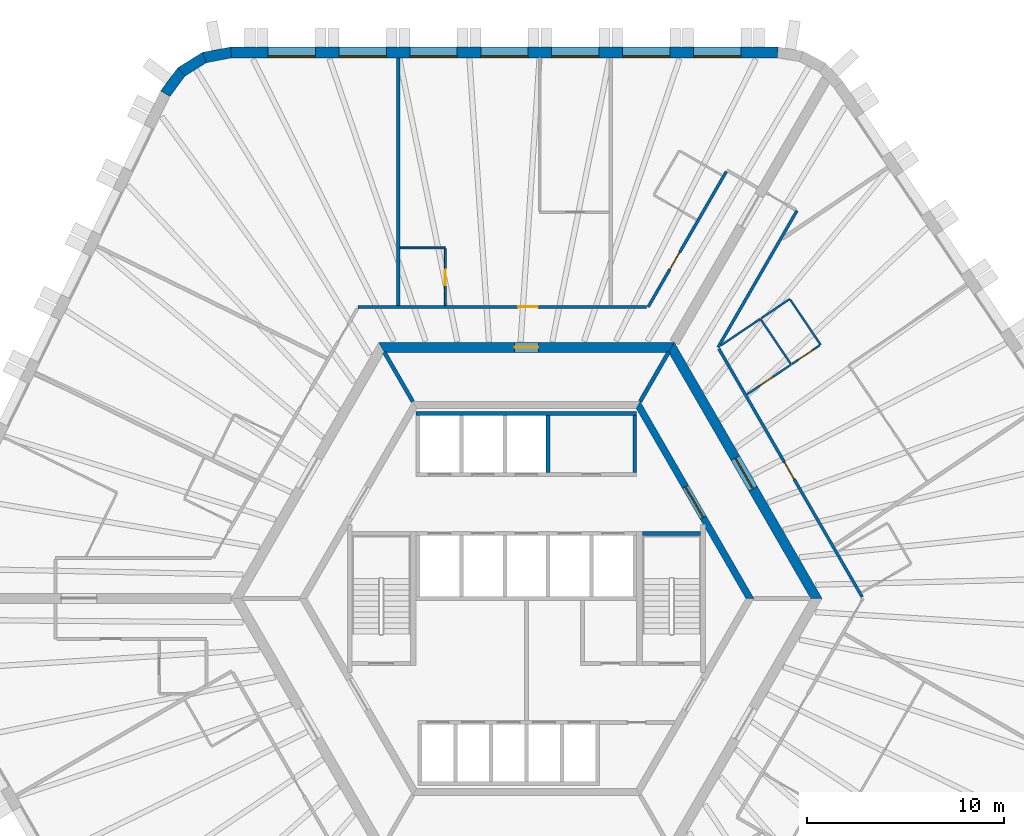
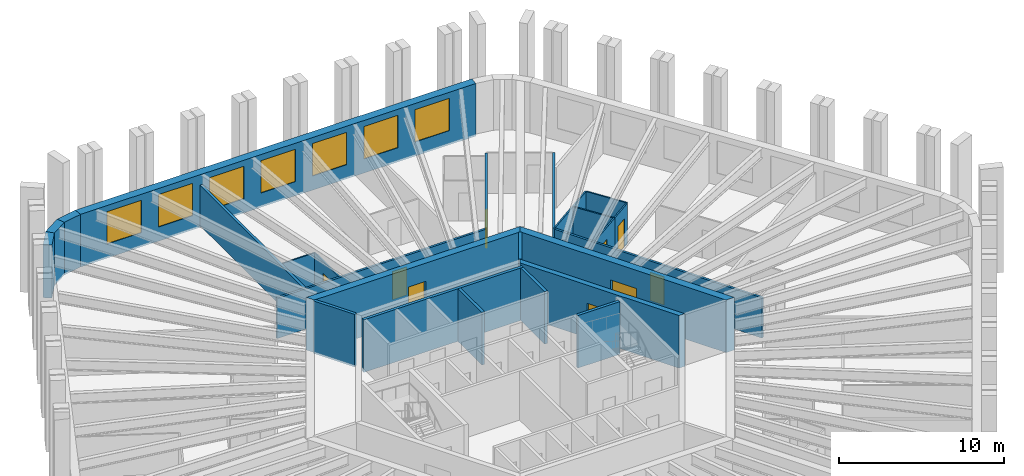
# One storey, part 8 of 10: 26 walls, 9 doors, 7 windows, 16 openings.
"""IFC4 building model written with IfcOpenShell, lengths in metres."""

from ifc_helpers import new_model, si_unit, direction, frame, frame_2d, origin, place, context, subcontext, project, spatial, polyline, rectangle, outline, extrude, material, layer, layer_set, type_object, element, fill, save


model = new_model("IFC4")

# Units and contexts
model_context = context("Model", 3, precision=1e-05, world=origin(), true_north=direction((0.0, 1.0)))
body_context = subcontext(model_context, "Body", "Model", "MODEL_VIEW")
ifc_project = project(units=[si_unit("LENGTHUNIT", "METRE"), si_unit("AREAUNIT", "SQUARE_METRE"), si_unit("VOLUMEUNIT", "CUBIC_METRE"), si_unit("PLANEANGLEUNIT", "RADIAN"), si_unit("MASSUNIT", "GRAM", prefix="KILO")], contexts=[model_context])

# Site, building, storey
site_placement = place(None, origin())
site = spatial("IfcSite", under=ifc_project, at=site_placement, CompositionType="ELEMENT")
building_placement = place(site_placement, origin())
building = spatial("IfcBuilding", under=site, at=building_placement, Name="Tarnside Tower", CompositionType="ELEMENT")
storey_placement = place(building_placement, frame((0.0, 0.0, 176.10009765625)))
storey = spatial("IfcBuildingStorey", under=building, at=storey_placement, Name="L41", CompositionType="ELEMENT", Elevation=176.10009765625)

# Wall
ifc_material_1 = material(Name="Gypsum board partition on steel studs", Category="steel")
ifc_layer_1 = layer(ifc_material_1, 0.10009765625)
ifc_layer_set_1 = layer_set([ifc_layer_1], Name="Bathroom wall 100")
wall_type_1 = type_object("IfcWallType", Name="Bathroom wall 100", PredefinedType="PARTITIONING", material=ifc_layer_set_1)
wall_1_placement = place(storey_placement, frame((-6.427978515625, 17.800048828125, 0.0), z_axis=(0.0, 0.0, 1.0), x_axis=(1.0, 0.0, 0.0)))
element("IfcWall", 1, at=wall_1_placement, inside=storey, type_object=wall_type_1, Name="Bathroom wall 13054", PredefinedType="PARTITIONING", context=body_context, shape_type="SweptSolid", body=[
    extrude(rectangle(XDim=2.31005859375, YDim=0.10009765625, at=frame_2d((1.155029296875, 0.0))), origin(), (0.0, 0.0, 1.0), 2.98779296875),
])

# Wall, opening, door
wall_2_placement = place(storey_placement, frame((-4.117919921875, 17.75, 0.0), z_axis=(0.0, 0.0, 1.0), x_axis=(0.0, -1.0, 0.0)))
wall_2 = element("IfcWall", 2, at=wall_2_placement, inside=storey, type_object=wall_type_1, Name="Bathroom wall 13055", PredefinedType="PARTITIONING", context=body_context, shape_type="SweptSolid", body=[
    extrude(rectangle(XDim=2.875, YDim=0.10009765625, at=frame_2d((1.4375, 0.0))), origin(), (0.0, 0.0, 1.0), 2.98779296875),
])
opening_1_placement = place(wall_2_placement, frame((1.050048828125, 0.0, 0.0)))
opening_1 = element("IfcOpeningElement", 3, at=opening_1_placement, cuts=wall_2, Name="Opening D-B1", PredefinedType="OPENING", context=body_context, shape_type="SweptSolid", body=[
    extrude(rectangle(XDim=0.800048828125, YDim=2.10009765625, at=frame_2d((0.39990234375, 1.050048828125))), frame((0.0, 0.06005859375, 0.0), z_axis=(0.0, -1.0, 0.0), x_axis=(1.0, 0.0, 0.0)), (0.0, 0.0, 1.0), 0.1201171875),
])
ifc_material_2 = material(Name="Timber door leaf", Category="wood")
door_type_1 = type_object("IfcDoorType", Name="Bathroom door 800", OperationType="NOTDEFINED", PredefinedType="DOOR", material=ifc_material_2)
door_1_placement = place(opening_1_placement, origin())
door_1 = element("IfcDoor", 4, at=door_1_placement, inside=storey, type_object=door_type_1, Name="Bathroom door 13004", OperationType="SINGLE_SWING_LEFT", OverallHeight=2.10009765625, OverallWidth=0.800048828125, PredefinedType="DOOR", context=body_context, shape_type="SweptSolid", body=[
    extrude(rectangle(XDim=0.800048828125, YDim=2.10009765625, at=frame_2d((0.39990234375, 1.050048828125))), frame((0.0, 0.02490234375, 0.0), z_axis=(0.0, -1.0, 0.0), x_axis=(1.0, 0.0, 0.0)), (0.0, 0.0, 1.0), 0.050048828125),
])
fill(opening_1, door_1)

# Wall
wall_3_placement = place(storey_placement, frame((9.8701171875, 12.845703125, 0.0), z_axis=(0.0, 0.0, 1.0), x_axis=(0.829044958406, 0.559181953341, 0.0)))
element("IfcWall", 5, at=wall_3_placement, inside=storey, type_object=wall_type_1, Name="Bathroom wall 13108", PredefinedType="PARTITIONING", context=body_context, shape_type="SweptSolid", body=[
    extrude(rectangle(XDim=2.421875, YDim=0.10009765625, at=frame_2d((1.2109375, 0.0))), origin(), (0.0, 0.0, 1.0), 2.98779296875),
])

# Wall, opening, door
wall_4_placement = place(storey_placement, frame((13.443603515625, 11.87841796875, 0.0), z_axis=(0.0, 0.0, 1.0), x_axis=(-0.829076008986, -0.559135914894, 0.0)))
wall_4 = element("IfcWall", 6, at=wall_4_placement, inside=storey, type_object=wall_type_1, Name="Bathroom wall 13109", PredefinedType="PARTITIONING", context=body_context, shape_type="SweptSolid", body=[
    extrude(rectangle(XDim=2.71337890625, YDim=0.10009765625, at=frame_2d((1.356689453125, 0.0))), origin(), (0.0, 0.0, 1.0), 2.98779296875),
])
opening_2_placement = place(wall_4_placement, frame((1.10009765625, 0.0, 0.0)))
opening_2 = element("IfcOpeningElement", 7, at=opening_2_placement, cuts=wall_4, Name="Opening D-B1", PredefinedType="OPENING", context=body_context, shape_type="SweptSolid", body=[
    extrude(rectangle(XDim=0.800048828125, YDim=2.10009765625, at=frame_2d((0.39990234375, 1.050048828125))), frame((0.0, 0.06005859375, 0.0), z_axis=(0.0, -1.0, 0.0), x_axis=(1.0, 0.0, 0.0)), (0.0, 0.0, 1.0), 0.1201171875),
])
door_2_placement = place(opening_2_placement, origin())
door_2 = element("IfcDoor", 8, at=door_2_placement, inside=storey, type_object=door_type_1, Name="Bathroom door 13032", OperationType="SINGLE_SWING_LEFT", OverallHeight=2.10009765625, OverallWidth=0.800048828125, PredefinedType="DOOR", context=body_context, shape_type="SweptSolid", body=[
    extrude(rectangle(XDim=0.800048828125, YDim=2.10009765625, at=frame_2d((0.39990234375, 1.050048828125))), frame((0.0, 0.02490234375, 0.0), z_axis=(0.0, -1.0, 0.0), x_axis=(1.0, 0.0, 0.0)), (0.0, 0.0, 1.0), 0.050048828125),
])
fill(opening_2, door_2)

# Wall
wall_5_placement = place(storey_placement, frame((13.41552734375, 11.919921875, 0.0), z_axis=(0.0, 0.0, 1.0), x_axis=(-0.559157567313, 0.829061405999, 0.0)))
element("IfcWall", 9, at=wall_5_placement, inside=storey, type_object=wall_type_1, Name="Bathroom wall 13116", PredefinedType="PARTITIONING", context=body_context, shape_type="SweptSolid", body=[
    extrude(rectangle(XDim=2.699951171875, YDim=0.10009765625, at=frame_2d((1.35009765625, 0.0))), origin(), (0.0, 0.0, 1.0), 2.98779296875),
])

# Wall, opening, door
ifc_material_3 = material(Name="Concrete C50/60", Category="concrete")
ifc_layer_2 = layer(ifc_material_3, 0.35009765625)
ifc_layer_set_2 = layer_set([ifc_layer_2], Name="Core block wall 350 C50/60")
wall_type_2 = type_object("IfcWallType", Name="Core block wall 350 C50/60", PredefinedType="SHEAR", material=ifc_layer_set_2)
wall_6_placement = place(storey_placement, frame((11.344970703125, 0.0, -0.150146484375), z_axis=(0.0, 0.0, 1.0), x_axis=(-0.499995046907, 0.866028263435, 0.0)))
wall_6 = element("IfcWall", 10, at=wall_6_placement, inside=storey, type_object=wall_type_2, Name="L41 core block wall face 6", PredefinedType="SHEAR", context=body_context, shape_type="SweptSolid", body=[
    extrude(outline(polyline([(-0.10107421875, -0.175048828125), (11.44580078125, -0.175048828125), (11.24365234375, 0.175048828125), (0.10107421875, 0.175048828125), (-0.10107421875, -0.175048828125)])), origin(), (0.0, 0.0, 1.0), 3.900146484375),
])
opening_3_placement = place(wall_6_placement, frame((4.74365234375, 0.0, 0.14990234375)))
opening_3 = element("IfcOpeningElement", 11, at=opening_3_placement, cuts=wall_6, Name="Opening CD-LOB", PredefinedType="OPENING", context=body_context, shape_type="SweptSolid", body=[
    extrude(rectangle(XDim=1.800048828125, YDim=2.39990234375, at=frame_2d((0.89990234375, 1.199951171875))), frame((0.0, 0.18505859375, 0.0), z_axis=(0.0, -1.0, 0.0), x_axis=(1.0, 0.0, 0.0)), (0.0, 0.0, 1.0), 0.3701171875),
])
ifc_material_4 = material(Name="Steel fire door", Category="steel")
door_type_2 = type_object("IfcDoorType", Name="Lobby double door FD30S 1800x2400", OperationType="NOTDEFINED", PredefinedType="DOOR", material=ifc_material_4)
door_3_placement = place(opening_3_placement, origin())
door_3 = element("IfcDoor", 12, at=door_3_placement, inside=storey, type_object=door_type_2, Name="L41 lobby block door P2", OperationType="DOUBLE_DOOR_SINGLE_SWING", OverallHeight=2.39990234375, OverallWidth=1.800048828125, PredefinedType="DOOR", context=body_context, shape_type="SweptSolid", body=[
    extrude(rectangle(XDim=1.800048828125, YDim=2.39990234375, at=frame_2d((0.89990234375, 1.199951171875))), frame((0.0, 0.02490234375, 0.0), z_axis=(0.0, -1.0, 0.0), x_axis=(1.0, 0.0, 0.0)), (0.0, 0.0, 1.0), 0.050048828125),
])
fill(opening_3, door_3)

ifc_material_5 = material(Name="Concrete C70/85", Category="concrete")
ifc_layer_3 = layer(ifc_material_5, 0.5)
ifc_layer_set_3 = layer_set([ifc_layer_3], Name="Core wall Z2 500 C70/85")
wall_type_3 = type_object("IfcWallType", Name="Core wall Z2 500 C70/85", PredefinedType="SHEAR", material=ifc_layer_set_3)
wall_7_placement = place(storey_placement, frame((14.722412109375, 0.0, -0.150146484375), z_axis=(0.0, 0.0, 1.0), x_axis=(-0.50000571537, 0.866022103989, 0.0)))
wall_7 = element("IfcWall", 13, at=wall_7_placement, inside=storey, type_object=wall_type_3, Name="L41 core wall face 6", PredefinedType="SHEAR", context=body_context, shape_type="SweptSolid", body=[
    extrude(outline(polyline([(-0.144287109375, -0.25), (14.86669921875, -0.25), (14.578125, 0.25), (0.144287109375, 0.25), (-0.144287109375, -0.25)])), origin(), (0.0, 0.0, 1.0), 3.900146484375),
])
opening_4_placement = place(wall_7_placement, frame((6.432373046875, 0.0, 0.14990234375)))
opening_4 = element("IfcOpeningElement", 14, at=opening_4_placement, cuts=wall_7, Name="Opening CD-LOB", PredefinedType="OPENING", context=body_context, shape_type="SweptSolid", body=[
    extrude(rectangle(XDim=1.800048828125, YDim=2.39990234375, at=frame_2d((0.89990234375, 1.199951171875))), frame((0.0, 0.260009765625, 0.0), z_axis=(0.0, -1.0, 0.0), x_axis=(1.0, 0.0, 0.0)), (0.0, 0.0, 1.0), 0.52001953125),
])
door_4_placement = place(opening_4_placement, origin())
door_4 = element("IfcDoor", 15, at=door_4_placement, inside=storey, type_object=door_type_2, Name="L41 core door P2", OperationType="DOUBLE_DOOR_SINGLE_SWING", OverallHeight=2.39990234375, OverallWidth=1.800048828125, PredefinedType="DOOR", context=body_context, shape_type="SweptSolid", body=[
    extrude(rectangle(XDim=1.800048828125, YDim=2.39990234375, at=frame_2d((0.89990234375, 1.199951171875))), frame((0.0, 0.02490234375, 0.0), z_axis=(0.0, -1.0, 0.0), x_axis=(1.0, 0.0, 0.0)), (0.0, 0.0, 1.0), 0.050048828125),
])
fill(opening_4, door_4)

wall_8_placement = place(storey_placement, frame((7.361083984375, 12.75, -0.150146484375), z_axis=(0.0, 0.0, 1.0), x_axis=(-1.0, 0.0, 0.0)))
wall_8 = element("IfcWall", 16, at=wall_8_placement, inside=storey, type_object=wall_type_3, Name="L41 core wall face 1", PredefinedType="SHEAR", context=body_context, shape_type="SweptSolid", body=[
    extrude(outline(polyline([(-0.144287109375, -0.25), (14.866455078125, -0.25), (14.577880859375, 0.25), (0.144287109375, 0.25), (-0.144287109375, -0.25)])), origin(), (0.0, 0.0, 1.0), 3.900146484375),
])
opening_5_placement = place(wall_8_placement, frame((6.76123046875, 0.0, 0.14990234375)))
opening_5 = element("IfcOpeningElement", 17, at=opening_5_placement, cuts=wall_8, Name="Opening CD-RSR", PredefinedType="OPENING", context=body_context, shape_type="SweptSolid", body=[
    extrude(rectangle(XDim=1.199951171875, YDim=2.39990234375, at=frame_2d((0.60009765625, 1.199951171875))), frame((0.0, 0.260009765625, 0.0), z_axis=(0.0, -1.0, 0.0), x_axis=(1.0, 0.0, 0.0)), (0.0, 0.0, 1.0), 0.52001953125),
])
door_type_3 = type_object("IfcDoorType", Name="Riser door FD60 1200x2400", OperationType="NOTDEFINED", PredefinedType="DOOR", material=ifc_material_4)
door_5_placement = place(opening_5_placement, origin())
door_5 = element("IfcDoor", 18, at=door_5_placement, inside=storey, type_object=door_type_3, Name="L41 core door S5", OperationType="SINGLE_SWING_LEFT", OverallHeight=2.39990234375, OverallWidth=1.199951171875, PredefinedType="DOOR", context=body_context, shape_type="SweptSolid", body=[
    extrude(rectangle(XDim=1.199951171875, YDim=2.39990234375, at=frame_2d((0.60009765625, 1.199951171875))), frame((0.0, 0.02490234375, 0.0), z_axis=(0.0, -1.0, 0.0), x_axis=(1.0, 0.0, 0.0)), (0.0, 0.0, 1.0), 0.050048828125),
])
fill(opening_5, door_5)

ifc_layer_4 = layer(ifc_material_1, 0.14990234375)
ifc_layer_set_4 = layer_set([ifc_layer_4], Name="Corridor wall 150 EI 60")
wall_type_4 = type_object("IfcWallType", Name="Corridor wall 150 EI 60", PredefinedType="PARTITIONING", material=ifc_layer_set_4)
wall_9_placement = place(storey_placement, frame((10.148681640625, 21.677978515625, 0.0), z_axis=(0.0, 0.0, 1.0), x_axis=(-0.499997422768, -0.866026891745, 0.0)))
wall_9 = element("IfcWall", 19, at=wall_9_placement, inside=storey, type_object=wall_type_4, Name="Corridor wall 13001", PredefinedType="PARTITIONING", context=body_context, shape_type="SweptSolid", body=[
    extrude(rectangle(XDim=7.94189453125, YDim=0.14990234375, at=frame_2d((3.970947265625, 0.0))), origin(), (0.0, 0.0, 1.0), 2.98779296875),
])
opening_6_placement = place(wall_9_placement, frame((4.7333984375, 0.0, 0.0)))
opening_6 = element("IfcOpeningElement", 20, at=opening_6_placement, cuts=wall_9, Name="Opening D-E1", PredefinedType="OPENING", context=body_context, shape_type="SweptSolid", body=[
    extrude(rectangle(XDim=1.0, YDim=2.10009765625, at=frame_2d((0.5, 1.050048828125))), frame((0.0, 0.0849609375, 0.0), z_axis=(0.0, -1.0, 0.0), x_axis=(1.0, 0.0, 0.0)), (0.0, 0.0, 1.0), 0.169921875),
])
door_type_4 = type_object("IfcDoorType", Name="Unit entrance door 1000 FD30S", OperationType="NOTDEFINED", PredefinedType="DOOR", material=ifc_material_2)
door_6_placement = place(opening_6_placement, origin())
door_6 = element("IfcDoor", 21, at=door_6_placement, inside=storey, type_object=door_type_4, Name="Unit door 13001", OperationType="SINGLE_SWING_LEFT", OverallHeight=2.10009765625, OverallWidth=1.0, PredefinedType="DOOR", context=body_context, shape_type="SweptSolid", body=[
    extrude(rectangle(XDim=1.0, YDim=2.10009765625, at=frame_2d((0.5, 1.050048828125))), frame((0.0, 0.02490234375, 0.0), z_axis=(0.0, -1.0, 0.0), x_axis=(1.0, 0.0, 0.0)), (0.0, 0.0, 1.0), 0.050048828125),
])
fill(opening_6, door_6)

wall_10_placement = place(storey_placement, frame((6.091064453125, 14.800048828125, 0.0), z_axis=(0.0, 0.0, 1.0), x_axis=(-1.0, 0.0, 0.0)))
wall_10 = element("IfcWall", 22, at=wall_10_placement, inside=storey, type_object=wall_type_4, Name="Corridor wall 13002", PredefinedType="PARTITIONING", context=body_context, shape_type="SweptSolid", body=[
    extrude(rectangle(XDim=14.6357421875, YDim=0.14990234375, at=frame_2d((7.31787109375, 0.0))), origin(), (0.0, 0.0, 1.0), 2.98779296875),
])
opening_7_placement = place(wall_10_placement, frame((5.509033203125, 0.0, 0.0)))
opening_7 = element("IfcOpeningElement", 23, at=opening_7_placement, cuts=wall_10, Name="Opening D-E1", PredefinedType="OPENING", context=body_context, shape_type="SweptSolid", body=[
    extrude(rectangle(XDim=1.0, YDim=2.10009765625, at=frame_2d((0.5, 1.050048828125))), frame((0.0, 0.0849609375, 0.0), z_axis=(0.0, -1.0, 0.0), x_axis=(1.0, 0.0, 0.0)), (0.0, 0.0, 1.0), 0.169921875),
])
door_7_placement = place(opening_7_placement, origin())
door_7 = element("IfcDoor", 24, at=door_7_placement, inside=storey, type_object=door_type_4, Name="Unit door 13003", OperationType="SINGLE_SWING_RIGHT", OverallHeight=2.10009765625, OverallWidth=1.0, PredefinedType="DOOR", context=body_context, shape_type="SweptSolid", body=[
    extrude(rectangle(XDim=1.0, YDim=2.10009765625, at=frame_2d((0.5, 1.050048828125))), frame((0.0, 0.02490234375, 0.0), z_axis=(0.0, -1.0, 0.0), x_axis=(1.0, 0.0, 0.0)), (0.0, 0.0, 1.0), 0.050048828125),
])
fill(opening_7, door_7)

wall_11_placement = place(storey_placement, frame((17.04638671875, 0.074951171875, 0.0), z_axis=(0.0, 0.0, 1.0), x_axis=(-0.499999403554, 0.866025748143, 0.0)))
wall_11 = element("IfcWall", 25, at=wall_11_placement, inside=storey, type_object=wall_type_4, Name="Corridor wall 13040", PredefinedType="PARTITIONING", context=body_context, shape_type="SweptSolid", body=[
    extrude(rectangle(XDim=14.54931640625, YDim=0.14990234375, at=frame_2d((7.274658203125, 0.0))), origin(), (0.0, 0.0, 1.0), 2.98779296875),
])
opening_8_placement = place(wall_11_placement, frame((6.90087890625, 0.0, 0.0)))
opening_8 = element("IfcOpeningElement", 26, at=opening_8_placement, cuts=wall_11, Name="Opening D-E1", PredefinedType="OPENING", context=body_context, shape_type="SweptSolid", body=[
    extrude(rectangle(XDim=1.0, YDim=2.10009765625, at=frame_2d((0.5, 1.050048828125))), frame((0.0, 0.0849609375, 0.0), z_axis=(0.0, -1.0, 0.0), x_axis=(1.0, 0.0, 0.0)), (0.0, 0.0, 1.0), 0.169921875),
])
door_8_placement = place(opening_8_placement, origin())
door_8 = element("IfcDoor", 27, at=door_8_placement, inside=storey, type_object=door_type_4, Name="Unit door 13031", OperationType="SINGLE_SWING_RIGHT", OverallHeight=2.10009765625, OverallWidth=1.0, PredefinedType="DOOR", context=body_context, shape_type="SweptSolid", body=[
    extrude(rectangle(XDim=1.0, YDim=2.10009765625, at=frame_2d((0.5, 1.050048828125))), frame((0.0, 0.02490234375, 0.0), z_axis=(0.0, -1.0, 0.0), x_axis=(1.0, 0.0, 0.0)), (0.0, 0.0, 1.0), 0.050048828125),
])
fill(opening_8, door_8)

# Walls
wall_12_placement = place(storey_placement, frame((9.728271484375, 12.75, 0.0), z_axis=(0.0, 0.0, 1.0), x_axis=(0.500007149838, 0.866021275784, 0.0)))
element("IfcWall", 28, at=wall_12_placement, inside=storey, type_object=wall_type_4, Name="Corridor wall 13044", PredefinedType="PARTITIONING", context=body_context, shape_type="SweptSolid", body=[
    extrude(rectangle(XDim=8.01708984375, YDim=0.14990234375, at=frame_2d((4.008544921875, 0.0))), origin(), (0.0, 0.0, 1.0), 2.98779296875),
])
ifc_layer_5 = layer(ifc_material_1, 0.179931640625)
ifc_layer_set_5 = layer_set([ifc_layer_5], Name="Demising wall 180 EI 60")
wall_type_5 = type_object("IfcWallType", Name="Demising wall 180 EI 60", PredefinedType="PARTITIONING", material=ifc_layer_set_5)
wall_13_placement = place(storey_placement, frame((-6.517822265625, 27.449951171875, 0.0), z_axis=(0.0, 0.0, 1.0), x_axis=(0.0, -1.0, 0.0)))
element("IfcWall", 29, at=wall_13_placement, inside=storey, type_object=wall_type_5, Name="Demising wall 13058", PredefinedType="PARTITIONING", context=body_context, shape_type="SweptSolid", body=[
    extrude(rectangle(XDim=12.574951171875, YDim=0.179931640625, at=frame_2d((6.28759765625, 0.0))), origin(), (0.0, 0.0, 1.0), 2.98779296875),
])
ifc_material_6 = material(Name="Concrete C40/50", Category="concrete")
ifc_layer_6 = layer(ifc_material_6, 0.199951171875)
ifc_layer_set_6 = layer_set([ifc_layer_6], Name="Lift shaft wall 200 C40/50")
wall_type_6 = type_object("IfcWallType", Name="Lift shaft wall 200 C40/50", PredefinedType="SHEAR", material=ifc_layer_set_6)
wall_14_placement = place(storey_placement, frame((-5.60009765625, 9.39990234375, -0.25), z_axis=(0.0, 0.0, 1.0), x_axis=(1.0, 0.0, 0.0)))
element("IfcWall", 30, at=wall_14_placement, inside=storey, type_object=wall_type_6, Name="L41 lift shaft back wall R1", PredefinedType="SHEAR", context=body_context, shape_type="SweptSolid", body=[
    extrude(rectangle(XDim=11.2001953125, YDim=0.199951171875, at=frame_2d((5.60009765625, 0.0))), origin(), (0.0, 0.0, 1.0), 3.89990234375),
])
for number, where, z_axis, x_axis, name in (
    (31, (1.10009765625, 6.39990234375, -0.25), (0.0, 0.0, 1.0), (0.0, 1.0, 0.0), "L41 lift shaft partition R14"),
    (32, (5.5, 6.39990234375, -0.25), (0.0, 0.0, 1.0), (0.0, 1.0, 0.0), "L41 lift shaft partition R16"),
):
    element("IfcWall", number, at=place(storey_placement, frame(where, z_axis=z_axis, x_axis=x_axis)), inside=storey, type_object=wall_type_6, Name=name, PredefinedType="SHEAR", context=body_context, shape_type="SweptSolid", body=[
        extrude(rectangle(XDim=2.900146484375, YDim=0.199951171875, at=frame_2d((1.4501953125, 0.0))), origin(), (0.0, 0.0, 1.0), 3.89990234375),
    ])
for number, where, z_axis, x_axis, name in (
    (33, (5.7734375, 10.0, -0.150146484375), (0.0, 0.0, 1.0), (0.499995765644, 0.866027848477, 0.0), "L41 core partition AR60"),
    (34, (-5.7734375, 10.0, -0.150146484375), (0.0, 0.0, 1.0), (-0.499995765644, 0.866027848477, 0.0), "L41 core partition AR120"),
):
    element("IfcWall", number, at=place(storey_placement, frame(where, z_axis=z_axis, x_axis=x_axis)), inside=storey, type_object=wall_type_6, Name=name, PredefinedType="SHEAR", context=body_context, shape_type="SweptSolid", body=[
        extrude(rectangle(XDim=2.88671875, YDim=0.199951171875, at=frame_2d((1.443359375, 0.0))), origin(), (0.0, 0.0, 1.0), 3.900146484375),
    ])
wall_15_placement = place(storey_placement, frame((5.89990234375, 3.300048828125, -0.25), z_axis=(0.0, 0.0, 1.0), x_axis=(1.0, 0.0, 0.0)))
element("IfcWall", 35, at=wall_15_placement, inside=storey, type_object=wall_type_6, Name="L41 stair 1 enclosure cap wall n", PredefinedType="SHEAR", context=body_context, shape_type="SweptSolid", body=[
    extrude(rectangle(XDim=2.9501953125, YDim=0.199951171875, at=frame_2d((1.47509765625, 0.0))), origin(), (0.0, 0.0, 1.0), 3.89990234375),
])
ifc_layer_7 = layer(ifc_material_1, 0.10009765625)
ifc_layer_set_7 = layer_set([ifc_layer_7], Name="Partition 100")
wall_type_7 = type_object("IfcWallType", Name="Partition 100", PredefinedType="PARTITIONING", material=ifc_layer_set_7)
wall_16_placement = place(storey_placement, frame((11.919189453125, 14.227783203125, 0.0), z_axis=(0.0, 0.0, 1.0), x_axis=(0.829076640662, 0.559134978256, 0.0)))
element("IfcWall", 36, at=wall_16_placement, inside=storey, type_object=wall_type_7, Name="Partition wall 13110", PredefinedType="PARTITIONING", context=body_context, shape_type="SweptSolid", body=[
    extrude(rectangle(XDim=1.75, YDim=0.10009765625, at=frame_2d((0.875, 0.0))), origin(), (0.0, 0.0, 1.0), 2.98779296875),
])
wall_17_placement = place(storey_placement, frame((13.39794921875, 15.1650390625, 0.0), z_axis=(0.0, 0.0, 1.0), x_axis=(0.559178562802, -0.829047245278, 0.0)))
element("IfcWall", 37, at=wall_17_placement, inside=storey, type_object=wall_type_7, Name="Partition wall 13111", PredefinedType="PARTITIONING", context=body_context, shape_type="SweptSolid", body=[
    extrude(rectangle(XDim=2.750244140625, YDim=0.10009765625, at=frame_2d((1.375, 0.0))), origin(), (0.0, 0.0, 1.0), 2.98779296875),
])

# Wall, opening, door
wall_18_placement = place(storey_placement, frame((14.894287109375, 12.857177734375, 0.0), z_axis=(0.0, 0.0, 1.0), x_axis=(-0.828988508894, -0.559265636457, 0.0)))
wall_18 = element("IfcWall", 38, at=wall_18_placement, inside=storey, type_object=wall_type_7, Name="Partition wall 13112", PredefinedType="PARTITIONING", context=body_context, shape_type="SweptSolid", body=[
    extrude(rectangle(XDim=1.699951171875, YDim=0.10009765625, at=frame_2d((0.85009765625, 0.0))), origin(), (0.0, 0.0, 1.0), 2.98779296875),
])
opening_9_placement = place(wall_18_placement, frame((0.39990234375, 0.0, 0.0)))
opening_9 = element("IfcOpeningElement", 39, at=opening_9_placement, cuts=wall_18, Name="Opening D-I1", PredefinedType="OPENING", context=body_context, shape_type="SweptSolid", body=[
    extrude(rectangle(XDim=0.89990234375, YDim=2.10009765625, at=frame_2d((0.449951171875, 1.050048828125))), frame((0.0, 0.06005859375, 0.0), z_axis=(0.0, -1.0, 0.0), x_axis=(1.0, 0.0, 0.0)), (0.0, 0.0, 1.0), 0.1201171875),
])
door_type_5 = type_object("IfcDoorType", Name="Internal door 900", OperationType="NOTDEFINED", PredefinedType="DOOR", material=ifc_material_2)
door_9_placement = place(opening_9_placement, origin())
door_9 = element("IfcDoor", 40, at=door_9_placement, inside=storey, type_object=door_type_5, Name="Internal door 13033", OperationType="SINGLE_SWING_RIGHT", OverallHeight=2.10009765625, OverallWidth=0.89990234375, PredefinedType="DOOR", context=body_context, shape_type="SweptSolid", body=[
    extrude(rectangle(XDim=0.89990234375, YDim=2.10009765625, at=frame_2d((0.449951171875, 1.050048828125))), frame((0.0, 0.02490234375, 0.0), z_axis=(0.0, -1.0, 0.0), x_axis=(1.0, 0.0, 0.0)), (0.0, 0.0, 1.0), 0.050048828125),
])
fill(opening_9, door_9)

# Wall, openings, windows
ifc_material_7 = material(Name="Facing brick", Category="masonry")
ifc_layer_8 = layer(ifc_material_7, 0.10205078125)
ifc_material_8 = material(Name="Concrete C60/75 precast", Category="concrete")
ifc_layer_9 = layer(ifc_material_8, 0.347900390625)
ifc_material_9 = material(Name="Mineral wool insulation")
ifc_layer_10 = layer(ifc_material_9, 0.10009765625)
ifc_layer_set_8 = layer_set([ifc_layer_8, ifc_layer_9, ifc_layer_10], Name="Tube wall 550 brick faced")
wall_type_8 = type_object("IfcWallType", Name="Tube wall 550 brick faced", PredefinedType="SOLIDWALL", material=ifc_layer_set_8)
wall_19_placement = place(storey_placement, frame((12.760986328125, 27.72509765625, -0.150146484375), z_axis=(0.0, 0.0, 1.0), x_axis=(-1.0, 0.0, 0.0)))
wall_19 = element("IfcWall", 41, at=wall_19_placement, inside=storey, type_object=wall_type_8, Name="Tube wall L41 F1 flush 00", PredefinedType="SOLIDWALL", context=body_context, shape_type="SweptSolid", body=[
    extrude(outline(polyline([(-0.0224609375, -0.27490234375), (27.783447265625, -0.27490234375), (27.732177734375, 0.27490234375), (0.0224609375, 0.27490234375), (-0.0224609375, -0.27490234375)])), origin(), (0.0, 0.0, 1.0), 3.900146484375),
])
opening_10_placement = place(wall_19_placement, frame((1.87890625, 0.0, 1.050048828125)))
opening_10 = element("IfcOpeningElement", 42, at=opening_10_placement, cuts=wall_19, Name="Opening WH", PredefinedType="OPENING", context=body_context, shape_type="SweptSolid", body=[
    extrude(rectangle(XDim=2.39990234375, YDim=2.39990234375, at=frame_2d((1.199951171875, 1.199951171875))), frame((0.0, 0.28515625, 0.0), z_axis=(0.0, -1.0, 0.0), x_axis=(1.0, 0.0, 0.0)), (0.0, 0.0, 1.0), 0.570068359375),
])
opening_11_placement = place(wall_19_placement, frame((5.47900390625, 0.0, 1.050048828125)))
opening_11 = element("IfcOpeningElement", 43, at=opening_11_placement, cuts=wall_19, Name="Opening WH", PredefinedType="OPENING", context=body_context, shape_type="SweptSolid", body=[
    extrude(rectangle(XDim=2.39990234375, YDim=2.39990234375, at=frame_2d((1.199951171875, 1.199951171875))), frame((0.0, 0.28515625, 0.0), z_axis=(0.0, -1.0, 0.0), x_axis=(1.0, 0.0, 0.0)), (0.0, 0.0, 1.0), 0.570068359375),
])
opening_12_placement = place(wall_19_placement, frame((9.078857421875, 0.0, 1.050048828125)))
opening_12 = element("IfcOpeningElement", 44, at=opening_12_placement, cuts=wall_19, Name="Opening WH", PredefinedType="OPENING", context=body_context, shape_type="SweptSolid", body=[
    extrude(rectangle(XDim=2.39990234375, YDim=2.39990234375, at=frame_2d((1.199951171875, 1.199951171875))), frame((0.0, 0.28515625, 0.0), z_axis=(0.0, -1.0, 0.0), x_axis=(1.0, 0.0, 0.0)), (0.0, 0.0, 1.0), 0.570068359375),
])
opening_13_placement = place(wall_19_placement, frame((12.678955078125, 0.0, 1.050048828125)))
opening_13 = element("IfcOpeningElement", 45, at=opening_13_placement, cuts=wall_19, Name="Opening WH", PredefinedType="OPENING", context=body_context, shape_type="SweptSolid", body=[
    extrude(rectangle(XDim=2.39990234375, YDim=2.39990234375, at=frame_2d((1.199951171875, 1.199951171875))), frame((0.0, 0.28515625, 0.0), z_axis=(0.0, -1.0, 0.0), x_axis=(1.0, 0.0, 0.0)), (0.0, 0.0, 1.0), 0.570068359375),
])
opening_14_placement = place(wall_19_placement, frame((16.27880859375, 0.0, 1.050048828125)))
opening_14 = element("IfcOpeningElement", 46, at=opening_14_placement, cuts=wall_19, Name="Opening WH", PredefinedType="OPENING", context=body_context, shape_type="SweptSolid", body=[
    extrude(rectangle(XDim=2.39990234375, YDim=2.39990234375, at=frame_2d((1.199951171875, 1.199951171875))), frame((0.0, 0.28515625, 0.0), z_axis=(0.0, -1.0, 0.0), x_axis=(1.0, 0.0, 0.0)), (0.0, 0.0, 1.0), 0.570068359375),
])
opening_15_placement = place(wall_19_placement, frame((19.87890625, 0.0, 1.050048828125)))
opening_15 = element("IfcOpeningElement", 47, at=opening_15_placement, cuts=wall_19, Name="Opening WH", PredefinedType="OPENING", context=body_context, shape_type="SweptSolid", body=[
    extrude(rectangle(XDim=2.39990234375, YDim=2.39990234375, at=frame_2d((1.199951171875, 1.199951171875))), frame((0.0, 0.28515625, 0.0), z_axis=(0.0, -1.0, 0.0), x_axis=(1.0, 0.0, 0.0)), (0.0, 0.0, 1.0), 0.570068359375),
])
opening_16_placement = place(wall_19_placement, frame((23.47900390625, 0.0, 1.050048828125)))
opening_16 = element("IfcOpeningElement", 48, at=opening_16_placement, cuts=wall_19, Name="Opening WH", PredefinedType="OPENING", context=body_context, shape_type="SweptSolid", body=[
    extrude(rectangle(XDim=2.39990234375, YDim=2.39990234375, at=frame_2d((1.199951171875, 1.199951171875))), frame((0.0, 0.28515625, 0.0), z_axis=(0.0, -1.0, 0.0), x_axis=(1.0, 0.0, 0.0)), (0.0, 0.0, 1.0), 0.570068359375),
])
ifc_material_10 = material(Name="Aluminium-framed double glazing", Category="aluminium")
window_type = type_object("IfcWindowType", Name="Hotel window 2400 x 2400", PartitioningType="DOUBLE_PANEL_VERTICAL", PredefinedType="WINDOW", material=ifc_material_10)
window_1_placement = place(opening_10_placement, frame((0.0, 0.205078125, 0.0)))
window_1 = element("IfcWindow", 49, at=window_1_placement, inside=storey, type_object=window_type, Name="E.WN.L41.F1.00", OverallHeight=2.39990234375, OverallWidth=2.39990234375, PartitioningType="DOUBLE_PANEL_VERTICAL", PredefinedType="WINDOW", context=body_context, shape_type="SweptSolid", body=[
    extrude(rectangle(XDim=2.39990234375, YDim=2.39990234375, at=frame_2d((1.199951171875, 1.199951171875))), frame((0.0, 0.030029296875, 0.0), z_axis=(0.0, -1.0, 0.0), x_axis=(1.0, 0.0, 0.0)), (0.0, 0.0, 1.0), 0.06005859375),
])
fill(opening_10, window_1)
window_2_placement = place(opening_11_placement, frame((0.0, 0.205078125, 0.0)))
window_2 = element("IfcWindow", 50, at=window_2_placement, inside=storey, type_object=window_type, Name="E.WN.L41.F1.01", OverallHeight=2.39990234375, OverallWidth=2.39990234375, PartitioningType="DOUBLE_PANEL_VERTICAL", PredefinedType="WINDOW", context=body_context, shape_type="SweptSolid", body=[
    extrude(rectangle(XDim=2.39990234375, YDim=2.39990234375, at=frame_2d((1.199951171875, 1.199951171875))), frame((0.0, 0.030029296875, 0.0), z_axis=(0.0, -1.0, 0.0), x_axis=(1.0, 0.0, 0.0)), (0.0, 0.0, 1.0), 0.06005859375),
])
fill(opening_11, window_2)
window_3_placement = place(opening_12_placement, frame((0.0, 0.205078125, 0.0)))
window_3 = element("IfcWindow", 51, at=window_3_placement, inside=storey, type_object=window_type, Name="E.WN.L41.F1.02", OverallHeight=2.39990234375, OverallWidth=2.39990234375, PartitioningType="DOUBLE_PANEL_VERTICAL", PredefinedType="WINDOW", context=body_context, shape_type="SweptSolid", body=[
    extrude(rectangle(XDim=2.39990234375, YDim=2.39990234375, at=frame_2d((1.199951171875, 1.199951171875))), frame((0.0, 0.030029296875, 0.0), z_axis=(0.0, -1.0, 0.0), x_axis=(1.0, 0.0, 0.0)), (0.0, 0.0, 1.0), 0.06005859375),
])
fill(opening_12, window_3)
window_4_placement = place(opening_13_placement, frame((0.0, 0.205078125, 0.0)))
window_4 = element("IfcWindow", 52, at=window_4_placement, inside=storey, type_object=window_type, Name="E.WN.L41.F1.03", OverallHeight=2.39990234375, OverallWidth=2.39990234375, PartitioningType="DOUBLE_PANEL_VERTICAL", PredefinedType="WINDOW", context=body_context, shape_type="SweptSolid", body=[
    extrude(rectangle(XDim=2.39990234375, YDim=2.39990234375, at=frame_2d((1.199951171875, 1.199951171875))), frame((0.0, 0.030029296875, 0.0), z_axis=(0.0, -1.0, 0.0), x_axis=(1.0, 0.0, 0.0)), (0.0, 0.0, 1.0), 0.06005859375),
])
fill(opening_13, window_4)
window_5_placement = place(opening_14_placement, frame((0.0, 0.205078125, 0.0)))
window_5 = element("IfcWindow", 53, at=window_5_placement, inside=storey, type_object=window_type, Name="E.WN.L41.F1.04", OverallHeight=2.39990234375, OverallWidth=2.39990234375, PartitioningType="DOUBLE_PANEL_VERTICAL", PredefinedType="WINDOW", context=body_context, shape_type="SweptSolid", body=[
    extrude(rectangle(XDim=2.39990234375, YDim=2.39990234375, at=frame_2d((1.199951171875, 1.199951171875))), frame((0.0, 0.030029296875, 0.0), z_axis=(0.0, -1.0, 0.0), x_axis=(1.0, 0.0, 0.0)), (0.0, 0.0, 1.0), 0.06005859375),
])
fill(opening_14, window_5)
window_6_placement = place(opening_15_placement, frame((0.0, 0.205078125, 0.0)))
window_6 = element("IfcWindow", 54, at=window_6_placement, inside=storey, type_object=window_type, Name="E.WN.L41.F1.05", OverallHeight=2.39990234375, OverallWidth=2.39990234375, PartitioningType="DOUBLE_PANEL_VERTICAL", PredefinedType="WINDOW", context=body_context, shape_type="SweptSolid", body=[
    extrude(rectangle(XDim=2.39990234375, YDim=2.39990234375, at=frame_2d((1.199951171875, 1.199951171875))), frame((0.0, 0.030029296875, 0.0), z_axis=(0.0, -1.0, 0.0), x_axis=(1.0, 0.0, 0.0)), (0.0, 0.0, 1.0), 0.06005859375),
])
fill(opening_15, window_6)
window_7_placement = place(opening_16_placement, frame((0.0, 0.205078125, 0.0)))
window_7 = element("IfcWindow", 55, at=window_7_placement, inside=storey, type_object=window_type, Name="E.WN.L41.F1.06", OverallHeight=2.39990234375, OverallWidth=2.39990234375, PartitioningType="DOUBLE_PANEL_VERTICAL", PredefinedType="WINDOW", context=body_context, shape_type="SweptSolid", body=[
    extrude(rectangle(XDim=2.39990234375, YDim=2.39990234375, at=frame_2d((1.199951171875, 1.199951171875))), frame((0.0, 0.030029296875, 0.0), z_axis=(0.0, -1.0, 0.0), x_axis=(1.0, 0.0, 0.0)), (0.0, 0.0, 1.0), 0.06005859375),
])
fill(opening_16, window_7)

# Walls
wall_20_placement = place(storey_placement, frame((-14.996826171875, 27.72509765625, -0.150146484375), z_axis=(0.0, 0.0, 1.0), x_axis=(-0.982705443133, -0.185175624845, 0.0)))
element("IfcWall", 56, at=wall_20_placement, inside=storey, type_object=wall_type_8, Name="Tube wall L41 F1 chord 01", PredefinedType="SOLIDWALL", context=body_context, shape_type="SweptSolid", body=[
    extrude(outline(polyline([(-0.025634765625, -0.27490234375), (1.430908203125, -0.27490234375), (1.327392578125, 0.27490234375), (0.025634765625, 0.27490234375), (-0.025634765625, -0.27490234375)])), origin(), (0.0, 0.0, 1.0), 3.900146484375),
])
wall_21_placement = place(storey_placement, frame((-16.35205078125, 27.4697265625, -0.150146484375), z_axis=(0.0, 0.0, 1.0), x_axis=(-0.848057977594, -0.5299034503, 0.0)))
element("IfcWall", 57, at=wall_21_placement, inside=storey, type_object=wall_type_8, Name="Tube wall L41 F1 chord 02", PredefinedType="SOLIDWALL", context=body_context, shape_type="SweptSolid", body=[
    extrude(outline(polyline([(-0.0517578125, -0.27490234375), (1.4306640625, -0.27490234375), (1.3271484375, 0.27490234375), (0.0517578125, 0.27490234375), (-0.0517578125, -0.27490234375)])), origin(), (0.0, 0.0, 1.0), 3.900146484375),
])
wall_22_placement = place(storey_placement, frame((-17.521484375, 26.739013671875, -0.150146484375), z_axis=(0.0, 0.0, 1.0), x_axis=(-0.597135295884, -0.802140535324, 0.0)))
element("IfcWall", 58, at=wall_22_placement, inside=storey, type_object=wall_type_8, Name="Tube wall L41 F1 chord 03", PredefinedType="SOLIDWALL", context=body_context, shape_type="SweptSolid", body=[
    extrude(outline(polyline([(-0.0517578125, -0.27490234375), (1.40478515625, -0.27490234375), (1.353515625, 0.27490234375), (0.0517578125, 0.27490234375), (-0.0517578125, -0.27490234375)])), origin(), (0.0, 0.0, 1.0), 3.900146484375),
])

save(model, "model.ifc")
